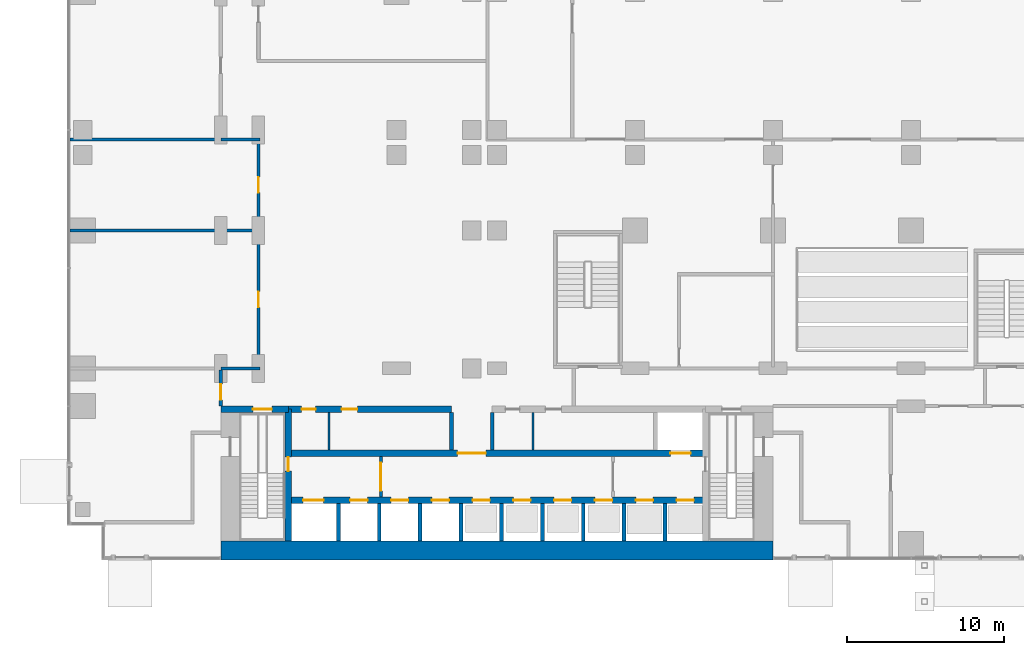
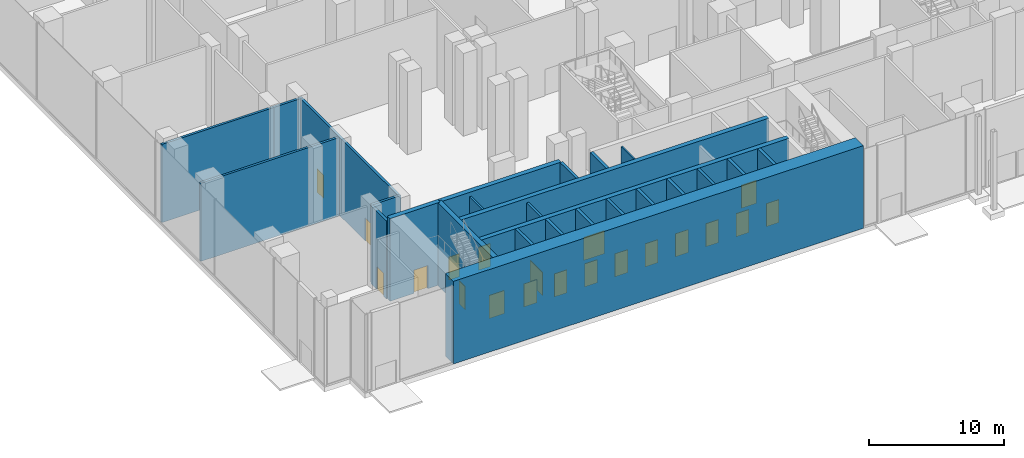
# One storey, part 24 of 41: 26 walls, 20 doors, 20 openings.
"""IFC4 building model written with IfcOpenShell, lengths in metres."""

from ifc_helpers import new_model, si_unit, direction, frame, frame_2d, origin, place, context, subcontext, project, spatial, rectangle, extrude, material, layer, layer_set, type_object, element, fill, save


model = new_model("IFC4")

# Units and contexts
model_context = context("Model", 3, precision=1e-05, world=origin(), true_north=direction((0.0, 1.0)))
body_context = subcontext(model_context, "Body", "Model", "MODEL_VIEW")
ifc_project = project(units=[si_unit("LENGTHUNIT", "METRE"), si_unit("AREAUNIT", "SQUARE_METRE"), si_unit("VOLUMEUNIT", "CUBIC_METRE"), si_unit("PLANEANGLEUNIT", "RADIAN"), si_unit("MASSUNIT", "GRAM", prefix="KILO")], contexts=[model_context])

# Site, building, storey
site_placement = place(None, origin())
site = spatial("IfcSite", under=ifc_project, at=site_placement, CompositionType="ELEMENT")
building_placement = place(site_placement, origin())
building = spatial("IfcBuilding", under=site, at=building_placement, Name="Kemantara Hotel Tower", CompositionType="ELEMENT")
storey_placement = place(building_placement, origin())
storey = spatial("IfcBuildingStorey", under=building, at=storey_placement, Name="L00", CompositionType="ELEMENT", Elevation=0.0)

# Walls
ifc_material_1 = material(Name="Concrete fc 70 MPa", Category="concrete")
ifc_layer_1 = layer(ifc_material_1, 1.199951171875)
ifc_layer_set_1 = layer_set([ifc_layer_1], Name="Concrete fc 70 MPa")
wall_type_1 = type_object("IfcWallType", Name="CORE WALL 1200 FC70", PredefinedType="SHEAR", material=ifc_layer_set_1)
wall_1_placement = place(storey_placement, frame((9.800048828125, 0.60009765625, 0.0), z_axis=(0.0, 0.0, 1.0), x_axis=(1.0, 0.0, 0.0)))
element("IfcWall", 1, at=wall_1_placement, inside=storey, type_object=wall_type_1, Name="CORE WALL CW-S", PredefinedType="SHEAR", context=body_context, shape_type="SweptSolid", body=[
    extrude(rectangle(XDim=35.199951171875, YDim=1.199951171875, at=frame_2d((17.60009765625, 0.0))), origin(), (0.0, 0.0, 1.0), 7.5),
])
ifc_layer_2 = layer(ifc_material_1, 0.25)
ifc_layer_set_2 = layer_set([ifc_layer_2], Name="Concrete fc 70 MPa")
wall_type_2 = type_object("IfcWallType", Name="CORE WALL 250 FC70", PredefinedType="SHEAR", material=ifc_layer_set_2)
for number, where, z_axis, x_axis, name in (
    (2, (17.300048828125, 1.199951171875, 0.0), (0.0, 0.0, 1.0), (0.0, 1.0, 0.0), "CORE WALL CW-DS17.3"),
    (3, (19.89990234375, 1.199951171875, 0.0), (0.0, 0.0, 1.0), (0.0, 1.0, 0.0), "CORE WALL CW-DS19.9"),
    (4, (22.5, 1.199951171875, 0.0), (0.0, 0.0, 1.0), (0.0, 1.0, 0.0), "CORE WALL CW-DS22.5"),
    (5, (25.10009765625, 1.199951171875, 0.0), (0.0, 0.0, 1.0), (0.0, 1.0, 0.0), "CORE WALL CW-DS25.1"),
    (6, (27.699951171875, 1.199951171875, 0.0), (0.0, 0.0, 1.0), (0.0, 1.0, 0.0), "CORE WALL CW-DS27.7"),
    (7, (30.300048828125, 1.199951171875, 0.0), (0.0, 0.0, 1.0), (0.0, 1.0, 0.0), "CORE WALL CW-DS30.3"),
    (8, (32.89990234375, 1.199951171875, 0.0), (0.0, 0.0, 1.0), (0.0, 1.0, 0.0), "CORE WALL CW-DS32.9"),
    (9, (35.5, 1.199951171875, 0.0), (0.0, 0.0, 1.0), (0.0, 1.0, 0.0), "CORE WALL CW-DS35.5"),
    (10, (38.10009765625, 1.199951171875, 0.0), (0.0, 0.0, 1.0), (0.0, 1.0, 0.0), "CORE WALL CW-DS38.1"),
):
    element("IfcWall", number, at=place(storey_placement, frame(where, z_axis=z_axis, x_axis=x_axis)), inside=storey, type_object=wall_type_2, Name=name, PredefinedType="SHEAR", context=body_context, shape_type="SweptSolid", body=[
        extrude(rectangle(XDim=2.400146484375, YDim=0.25, at=frame_2d((1.2001953125, 0.0))), origin(), (0.0, 0.0, 1.0), 7.5),
    ])
for number, where, z_axis, x_axis, name in (
    (11, (24.5, 7.0, 0.0), (0.0, 0.0, 1.0), (0.0, 1.0, 0.0), "CORE WALL CW-DN24.5"),
    (12, (27.10009765625, 7.0, 0.0), (0.0, 0.0, 1.0), (0.0, 1.0, 0.0), "CORE WALL CW-DN27.1"),
):
    element("IfcWall", number, at=place(storey_placement, frame(where, z_axis=z_axis, x_axis=x_axis)), inside=storey, type_object=wall_type_2, Name=name, PredefinedType="SHEAR", context=body_context, shape_type="SweptSolid", body=[
        extrude(rectangle(XDim=2.39990234375, YDim=0.25, at=frame_2d((1.199951171875, 0.0))), origin(), (0.0, 0.0, 1.0), 7.5),
    ])

# Wall, opening, door
ifc_layer_3 = layer(ifc_material_1, 0.39990234375)
ifc_layer_set_3 = layer_set([ifc_layer_3], Name="Concrete fc 70 MPa")
wall_type_3 = type_object("IfcWallType", Name="CORE WALL 400 FC70", PredefinedType="SHEAR", material=ifc_layer_set_3)
wall_2_placement = place(storey_placement, frame((9.800048828125, 9.60009765625, 0.0), z_axis=(0.0, 0.0, 1.0), x_axis=(1.0, 0.0, 0.0)))
wall_2 = element("IfcWall", 13, at=wall_2_placement, inside=storey, type_object=wall_type_3, Name="CORE WALL CW-N1", PredefinedType="SHEAR", context=body_context, shape_type="SweptSolid", body=[
    extrude(rectangle(XDim=4.300048828125, YDim=0.39990234375, at=frame_2d((2.14990234375, 0.0))), origin(), (0.0, 0.0, 1.0), 7.5),
])
opening_1_placement = place(wall_2_placement, frame((2.050048828125, 0.0, 0.0)))
opening_1 = element("IfcOpeningElement", 14, at=opening_1_placement, cuts=wall_2, Name="Opening C03-ST1-C", PredefinedType="OPENING", context=body_context, shape_type="SweptSolid", body=[
    extrude(rectangle(XDim=1.199951171875, YDim=2.10009765625, at=frame_2d((0.60009765625, 1.050048828125))), frame((0.0, 0.2099609375, 0.0), z_axis=(0.0, -1.0, 0.0), x_axis=(1.0, 0.0, 0.0)), (0.0, 0.0, 1.0), 0.419921875),
])
ifc_material_2 = material(Name="Steel fire door", Category="steel")
door_type_1 = type_object("IfcDoorType", Name="Fire door FD90 1200 x 2100", OperationType="NOTDEFINED", PredefinedType="DOOR", material=ifc_material_2)
door_1_placement = place(opening_1_placement, origin())
door_1 = element("IfcDoor", 15, at=door_1_placement, inside=storey, type_object=door_type_1, Name="Stair ST1 door to corridor", OperationType="SINGLE_SWING_RIGHT", OverallHeight=2.10009765625, OverallWidth=1.199951171875, PredefinedType="DOOR", context=body_context, shape_type="SweptSolid", body=[
    extrude(rectangle(XDim=1.199951171875, YDim=2.10009765625, at=frame_2d((0.60009765625, 1.050048828125))), frame((0.0, 0.02490234375, 0.0), z_axis=(0.0, -1.0, 0.0), x_axis=(1.0, 0.0, 0.0)), (0.0, 0.0, 1.0), 0.050048828125),
])
fill(opening_1, door_1)

# Wall, openings, doors
wall_3_placement = place(storey_placement, frame((14.10009765625, 9.60009765625, 0.0), z_axis=(0.0, 0.0, 1.0), x_axis=(1.0, 0.0, 0.0)))
wall_3 = element("IfcWall", 16, at=wall_3_placement, inside=storey, type_object=wall_type_3, Name="CORE WALL CW-NN1", PredefinedType="SHEAR", context=body_context, shape_type="SweptSolid", body=[
    extrude(rectangle(XDim=10.39990234375, YDim=0.39990234375, at=frame_2d((5.199951171875, 0.0))), origin(), (0.0, 0.0, 1.0), 7.5),
])
opening_2_placement = place(wall_3_placement, frame((0.85009765625, 0.0, 0.0)))
opening_2 = element("IfcOpeningElement", 17, at=opening_2_placement, cuts=wall_3, Name="Opening C03-R-NW1", PredefinedType="OPENING", context=body_context, shape_type="SweptSolid", body=[
    extrude(rectangle(XDim=0.89990234375, YDim=2.10009765625, at=frame_2d((0.449951171875, 1.050048828125))), frame((0.0, 0.2099609375, 0.0), z_axis=(0.0, -1.0, 0.0), x_axis=(1.0, 0.0, 0.0)), (0.0, 0.0, 1.0), 0.419921875),
])
opening_3_placement = place(wall_3_placement, frame((3.39990234375, 0.0, 0.0)))
opening_3 = element("IfcOpeningElement", 18, at=opening_3_placement, cuts=wall_3, Name="Opening C03-R-NW2", PredefinedType="OPENING", context=body_context, shape_type="SweptSolid", body=[
    extrude(rectangle(XDim=1.0, YDim=2.10009765625, at=frame_2d((0.5, 1.050048828125))), frame((0.0, 0.2099609375, 0.0), z_axis=(0.0, -1.0, 0.0), x_axis=(1.0, 0.0, 0.0)), (0.0, 0.0, 1.0), 0.419921875),
])
door_type_2 = type_object("IfcDoorType", Name="Fire door FD30S 1000 x 2100", OperationType="NOTDEFINED", PredefinedType="DOOR", material=ifc_material_2)
door_2_placement = place(opening_3_placement, frame((1.0, 0.0, 0.0), z_axis=(0.0, 0.0, 1.0), x_axis=(-1.0, 0.0, 0.0)))
door_2 = element("IfcDoor", 19, at=door_2_placement, inside=storey, type_object=door_type_2, Name="Housekeeping Store door", OperationType="SINGLE_SWING_RIGHT", OverallHeight=2.10009765625, OverallWidth=1.0, PredefinedType="DOOR", context=body_context, shape_type="SweptSolid", body=[
    extrude(rectangle(XDim=1.0, YDim=2.10009765625, at=frame_2d((0.5, 1.050048828125))), frame((0.0, 0.02490234375, 0.0), z_axis=(0.0, -1.0, 0.0), x_axis=(1.0, 0.0, 0.0)), (0.0, 0.0, 1.0), 0.050048828125),
])
fill(opening_3, door_2)
door_type_3 = type_object("IfcDoorType", Name="Fire door FD30S 900 x 2100", OperationType="NOTDEFINED", PredefinedType="DOOR", material=ifc_material_2)
door_3_placement = place(opening_2_placement, frame((0.89990234375, 0.0, 0.0), z_axis=(0.0, 0.0, 1.0), x_axis=(-1.0, 0.0, 0.0)))
door_3 = element("IfcDoor", 20, at=door_3_placement, inside=storey, type_object=door_type_3, Name="Staff Wc door", OperationType="SINGLE_SWING_RIGHT", OverallHeight=2.10009765625, OverallWidth=0.89990234375, PredefinedType="DOOR", context=body_context, shape_type="SweptSolid", body=[
    extrude(rectangle(XDim=0.89990234375, YDim=2.10009765625, at=frame_2d((0.449951171875, 1.050048828125))), frame((0.0, 0.02490234375, 0.0), z_axis=(0.0, -1.0, 0.0), x_axis=(1.0, 0.0, 0.0)), (0.0, 0.0, 1.0), 0.050048828125),
])
fill(opening_2, door_3)

wall_4_placement = place(storey_placement, frame((14.10009765625, 3.800048828125, 0.0), z_axis=(0.0, 0.0, 1.0), x_axis=(1.0, 0.0, 0.0)))
wall_4 = element("IfcWall", 21, at=wall_4_placement, inside=storey, type_object=wall_type_3, Name="CORE WALL CW-L1", PredefinedType="SHEAR", context=body_context, shape_type="SweptSolid", body=[
    extrude(rectangle(XDim=26.599853515625, YDim=0.39990234375, at=frame_2d((13.2998046875, 0.0))), origin(), (0.0, 0.0, 1.0), 7.5),
])
opening_4_placement = place(wall_4_placement, frame((0.949951171875, 0.0, 0.0)))
opening_4 = element("IfcOpeningElement", 22, at=opening_4_placement, cuts=wall_4, Name="Opening C03-LD-FF1", PredefinedType="OPENING", context=body_context, shape_type="SweptSolid", body=[
    extrude(rectangle(XDim=1.300048828125, YDim=2.10009765625, at=frame_2d((0.64990234375, 1.050048828125))), frame((0.0, 0.2099609375, 0.0), z_axis=(0.0, -1.0, 0.0), x_axis=(1.0, 0.0, 0.0)), (0.0, 0.0, 1.0), 0.419921875),
])
opening_5_placement = place(wall_4_placement, frame((3.949951171875, 0.0, 0.0)))
opening_5 = element("IfcOpeningElement", 23, at=opening_5_placement, cuts=wall_4, Name="Opening C03-LD-SV1", PredefinedType="OPENING", context=body_context, shape_type="SweptSolid", body=[
    extrude(rectangle(XDim=1.10009765625, YDim=2.10009765625, at=frame_2d((0.550048828125, 1.050048828125))), frame((0.0, 0.2099609375, 0.0), z_axis=(0.0, -1.0, 0.0), x_axis=(1.0, 0.0, 0.0)), (0.0, 0.0, 1.0), 0.419921875),
])
opening_6_placement = place(wall_4_placement, frame((6.550048828125, 0.0, 0.0)))
opening_6 = element("IfcOpeningElement", 24, at=opening_6_placement, cuts=wall_4, Name="Opening C03-LD-SV2", PredefinedType="OPENING", context=body_context, shape_type="SweptSolid", body=[
    extrude(rectangle(XDim=1.10009765625, YDim=2.10009765625, at=frame_2d((0.550048828125, 1.050048828125))), frame((0.0, 0.2099609375, 0.0), z_axis=(0.0, -1.0, 0.0), x_axis=(1.0, 0.0, 0.0)), (0.0, 0.0, 1.0), 0.419921875),
])
opening_7_placement = place(wall_4_placement, frame((9.14990234375, 0.0, 0.0)))
opening_7 = element("IfcOpeningElement", 25, at=opening_7_placement, cuts=wall_4, Name="Opening C03-LD-SV3", PredefinedType="OPENING", context=body_context, shape_type="SweptSolid", body=[
    extrude(rectangle(XDim=1.10009765625, YDim=2.10009765625, at=frame_2d((0.550048828125, 1.050048828125))), frame((0.0, 0.2099609375, 0.0), z_axis=(0.0, -1.0, 0.0), x_axis=(1.0, 0.0, 0.0)), (0.0, 0.0, 1.0), 0.419921875),
])
opening_8_placement = place(wall_4_placement, frame((11.75, 0.0, 0.0)))
opening_8 = element("IfcOpeningElement", 26, at=opening_8_placement, cuts=wall_4, Name="Opening C03-LD-LR1", PredefinedType="OPENING", context=body_context, shape_type="SweptSolid", body=[
    extrude(rectangle(XDim=1.10009765625, YDim=2.10009765625, at=frame_2d((0.550048828125, 1.050048828125))), frame((0.0, 0.2099609375, 0.0), z_axis=(0.0, -1.0, 0.0), x_axis=(1.0, 0.0, 0.0)), (0.0, 0.0, 1.0), 0.419921875),
])
opening_9_placement = place(wall_4_placement, frame((14.35009765625, 0.0, 0.0)))
opening_9 = element("IfcOpeningElement", 27, at=opening_9_placement, cuts=wall_4, Name="Opening C03-LD-LR2", PredefinedType="OPENING", context=body_context, shape_type="SweptSolid", body=[
    extrude(rectangle(XDim=1.10009765625, YDim=2.10009765625, at=frame_2d((0.550048828125, 1.050048828125))), frame((0.0, 0.2099609375, 0.0), z_axis=(0.0, -1.0, 0.0), x_axis=(1.0, 0.0, 0.0)), (0.0, 0.0, 1.0), 0.419921875),
])
opening_10_placement = place(wall_4_placement, frame((16.949951171875, 0.0, 0.0)))
opening_10 = element("IfcOpeningElement", 28, at=opening_10_placement, cuts=wall_4, Name="Opening C03-LD-LR3", PredefinedType="OPENING", context=body_context, shape_type="SweptSolid", body=[
    extrude(rectangle(XDim=1.10009765625, YDim=2.10009765625, at=frame_2d((0.550048828125, 1.050048828125))), frame((0.0, 0.2099609375, 0.0), z_axis=(0.0, -1.0, 0.0), x_axis=(1.0, 0.0, 0.0)), (0.0, 0.0, 1.0), 0.419921875),
])
opening_11_placement = place(wall_4_placement, frame((19.550048828125, 0.0, 0.0)))
opening_11 = element("IfcOpeningElement", 29, at=opening_11_placement, cuts=wall_4, Name="Opening C03-LD-LR4", PredefinedType="OPENING", context=body_context, shape_type="SweptSolid", body=[
    extrude(rectangle(XDim=1.10009765625, YDim=2.10009765625, at=frame_2d((0.550048828125, 1.050048828125))), frame((0.0, 0.2099609375, 0.0), z_axis=(0.0, -1.0, 0.0), x_axis=(1.0, 0.0, 0.0)), (0.0, 0.0, 1.0), 0.419921875),
])
opening_12_placement = place(wall_4_placement, frame((22.14990234375, 0.0, 0.0)))
opening_12 = element("IfcOpeningElement", 30, at=opening_12_placement, cuts=wall_4, Name="Opening C03-LD-SH1", PredefinedType="OPENING", context=body_context, shape_type="SweptSolid", body=[
    extrude(rectangle(XDim=1.10009765625, YDim=2.10009765625, at=frame_2d((0.550048828125, 1.050048828125))), frame((0.0, 0.2099609375, 0.0), z_axis=(0.0, -1.0, 0.0), x_axis=(1.0, 0.0, 0.0)), (0.0, 0.0, 1.0), 0.419921875),
])
opening_13_placement = place(wall_4_placement, frame((24.75, 0.0, 0.0)))
opening_13 = element("IfcOpeningElement", 31, at=opening_13_placement, cuts=wall_4, Name="Opening C03-LD-SH2", PredefinedType="OPENING", context=body_context, shape_type="SweptSolid", body=[
    extrude(rectangle(XDim=1.10009765625, YDim=2.10009765625, at=frame_2d((0.550048828125, 1.050048828125))), frame((0.0, 0.2099609375, 0.0), z_axis=(0.0, -1.0, 0.0), x_axis=(1.0, 0.0, 0.0)), (0.0, 0.0, 1.0), 0.419921875),
])
ifc_material_3 = material(Name="Stainless steel lift door", Category="steel")
door_type_4 = type_object("IfcDoorType", Name="Lift landing door 1100 x 2100 FD60", OperationType="DOUBLE_DOOR_SLIDING", PredefinedType="DOOR", material=ifc_material_3)
door_4_placement = place(opening_5_placement, origin())
door_4 = element("IfcDoor", 32, at=door_4_placement, inside=storey, type_object=door_type_4, Name="Lift SV1 landing door", OperationType="DOUBLE_DOOR_SLIDING", OverallHeight=2.10009765625, OverallWidth=1.10009765625, PredefinedType="DOOR", context=body_context, shape_type="SweptSolid", body=[
    extrude(rectangle(XDim=1.10009765625, YDim=2.10009765625, at=frame_2d((0.550048828125, 1.050048828125))), frame((0.0, 0.02490234375, 0.0), z_axis=(0.0, -1.0, 0.0), x_axis=(1.0, 0.0, 0.0)), (0.0, 0.0, 1.0), 0.050048828125),
])
fill(opening_5, door_4)
door_5_placement = place(opening_6_placement, origin())
door_5 = element("IfcDoor", 33, at=door_5_placement, inside=storey, type_object=door_type_4, Name="Lift SV2 landing door", OperationType="DOUBLE_DOOR_SLIDING", OverallHeight=2.10009765625, OverallWidth=1.10009765625, PredefinedType="DOOR", context=body_context, shape_type="SweptSolid", body=[
    extrude(rectangle(XDim=1.10009765625, YDim=2.10009765625, at=frame_2d((0.550048828125, 1.050048828125))), frame((0.0, 0.02490234375, 0.0), z_axis=(0.0, -1.0, 0.0), x_axis=(1.0, 0.0, 0.0)), (0.0, 0.0, 1.0), 0.050048828125),
])
fill(opening_6, door_5)
door_6_placement = place(opening_7_placement, origin())
door_6 = element("IfcDoor", 34, at=door_6_placement, inside=storey, type_object=door_type_4, Name="Lift SV3 landing door", OperationType="DOUBLE_DOOR_SLIDING", OverallHeight=2.10009765625, OverallWidth=1.10009765625, PredefinedType="DOOR", context=body_context, shape_type="SweptSolid", body=[
    extrude(rectangle(XDim=1.10009765625, YDim=2.10009765625, at=frame_2d((0.550048828125, 1.050048828125))), frame((0.0, 0.02490234375, 0.0), z_axis=(0.0, -1.0, 0.0), x_axis=(1.0, 0.0, 0.0)), (0.0, 0.0, 1.0), 0.050048828125),
])
fill(opening_7, door_6)
door_7_placement = place(opening_8_placement, origin())
door_7 = element("IfcDoor", 35, at=door_7_placement, inside=storey, type_object=door_type_4, Name="Lift LR1 landing door", OperationType="DOUBLE_DOOR_SLIDING", OverallHeight=2.10009765625, OverallWidth=1.10009765625, PredefinedType="DOOR", context=body_context, shape_type="SweptSolid", body=[
    extrude(rectangle(XDim=1.10009765625, YDim=2.10009765625, at=frame_2d((0.550048828125, 1.050048828125))), frame((0.0, 0.02490234375, 0.0), z_axis=(0.0, -1.0, 0.0), x_axis=(1.0, 0.0, 0.0)), (0.0, 0.0, 1.0), 0.050048828125),
])
fill(opening_8, door_7)
door_8_placement = place(opening_9_placement, origin())
door_8 = element("IfcDoor", 36, at=door_8_placement, inside=storey, type_object=door_type_4, Name="Lift LR2 landing door", OperationType="DOUBLE_DOOR_SLIDING", OverallHeight=2.10009765625, OverallWidth=1.10009765625, PredefinedType="DOOR", context=body_context, shape_type="SweptSolid", body=[
    extrude(rectangle(XDim=1.10009765625, YDim=2.10009765625, at=frame_2d((0.550048828125, 1.050048828125))), frame((0.0, 0.02490234375, 0.0), z_axis=(0.0, -1.0, 0.0), x_axis=(1.0, 0.0, 0.0)), (0.0, 0.0, 1.0), 0.050048828125),
])
fill(opening_9, door_8)
door_9_placement = place(opening_10_placement, origin())
door_9 = element("IfcDoor", 37, at=door_9_placement, inside=storey, type_object=door_type_4, Name="Lift LR3 landing door", OperationType="DOUBLE_DOOR_SLIDING", OverallHeight=2.10009765625, OverallWidth=1.10009765625, PredefinedType="DOOR", context=body_context, shape_type="SweptSolid", body=[
    extrude(rectangle(XDim=1.10009765625, YDim=2.10009765625, at=frame_2d((0.550048828125, 1.050048828125))), frame((0.0, 0.02490234375, 0.0), z_axis=(0.0, -1.0, 0.0), x_axis=(1.0, 0.0, 0.0)), (0.0, 0.0, 1.0), 0.050048828125),
])
fill(opening_10, door_9)
door_10_placement = place(opening_11_placement, origin())
door_10 = element("IfcDoor", 38, at=door_10_placement, inside=storey, type_object=door_type_4, Name="Lift LR4 landing door", OperationType="DOUBLE_DOOR_SLIDING", OverallHeight=2.10009765625, OverallWidth=1.10009765625, PredefinedType="DOOR", context=body_context, shape_type="SweptSolid", body=[
    extrude(rectangle(XDim=1.10009765625, YDim=2.10009765625, at=frame_2d((0.550048828125, 1.050048828125))), frame((0.0, 0.02490234375, 0.0), z_axis=(0.0, -1.0, 0.0), x_axis=(1.0, 0.0, 0.0)), (0.0, 0.0, 1.0), 0.050048828125),
])
fill(opening_11, door_10)
door_11_placement = place(opening_12_placement, origin())
door_11 = element("IfcDoor", 39, at=door_11_placement, inside=storey, type_object=door_type_4, Name="Lift SH1 landing door", OperationType="DOUBLE_DOOR_SLIDING", OverallHeight=2.10009765625, OverallWidth=1.10009765625, PredefinedType="DOOR", context=body_context, shape_type="SweptSolid", body=[
    extrude(rectangle(XDim=1.10009765625, YDim=2.10009765625, at=frame_2d((0.550048828125, 1.050048828125))), frame((0.0, 0.02490234375, 0.0), z_axis=(0.0, -1.0, 0.0), x_axis=(1.0, 0.0, 0.0)), (0.0, 0.0, 1.0), 0.050048828125),
])
fill(opening_12, door_11)
door_12_placement = place(opening_13_placement, origin())
door_12 = element("IfcDoor", 40, at=door_12_placement, inside=storey, type_object=door_type_4, Name="Lift SH2 landing door", OperationType="DOUBLE_DOOR_SLIDING", OverallHeight=2.10009765625, OverallWidth=1.10009765625, PredefinedType="DOOR", context=body_context, shape_type="SweptSolid", body=[
    extrude(rectangle(XDim=1.10009765625, YDim=2.10009765625, at=frame_2d((0.550048828125, 1.050048828125))), frame((0.0, 0.02490234375, 0.0), z_axis=(0.0, -1.0, 0.0), x_axis=(1.0, 0.0, 0.0)), (0.0, 0.0, 1.0), 0.050048828125),
])
fill(opening_13, door_12)
door_type_5 = type_object("IfcDoorType", Name="Lift landing door 1300 x 2100 FD90", OperationType="DOUBLE_DOOR_SLIDING", PredefinedType="DOOR", material=ifc_material_3)
door_13_placement = place(opening_4_placement, origin())
door_13 = element("IfcDoor", 41, at=door_13_placement, inside=storey, type_object=door_type_5, Name="Lift FF1 landing door", OperationType="DOUBLE_DOOR_SLIDING", OverallHeight=2.10009765625, OverallWidth=1.300048828125, PredefinedType="DOOR", context=body_context, shape_type="SweptSolid", body=[
    extrude(rectangle(XDim=1.300048828125, YDim=2.10009765625, at=frame_2d((0.64990234375, 1.050048828125))), frame((0.0, 0.02490234375, 0.0), z_axis=(0.0, -1.0, 0.0), x_axis=(1.0, 0.0, 0.0)), (0.0, 0.0, 1.0), 0.050048828125),
])
fill(opening_4, door_13)

wall_5_placement = place(storey_placement, frame((14.10009765625, 6.800048828125, 0.0), z_axis=(0.0, 0.0, 1.0), x_axis=(1.0, 0.0, 0.0)))
wall_5 = element("IfcWall", 42, at=wall_5_placement, inside=storey, type_object=wall_type_3, Name="CORE WALL CW-L2", PredefinedType="SHEAR", context=body_context, shape_type="SweptSolid", body=[
    extrude(rectangle(XDim=26.599853515625, YDim=0.39990234375, at=frame_2d((13.2998046875, 0.0))), origin(), (0.0, 0.0, 1.0), 7.5),
])
opening_14_placement = place(wall_5_placement, frame((10.800048828125, 0.0, 0.0)))
opening_14 = element("IfcOpeningElement", 43, at=opening_14_placement, cuts=wall_5, Name="Opening C03-VL", PredefinedType="OPENING", context=body_context, shape_type="SweptSolid", body=[
    extrude(rectangle(XDim=1.800048828125, YDim=2.10009765625, at=frame_2d((0.89990234375, 1.050048828125))), frame((0.0, 0.2099609375, 0.0), z_axis=(0.0, -1.0, 0.0), x_axis=(1.0, 0.0, 0.0)), (0.0, 0.0, 1.0), 0.419921875),
])
opening_15_placement = place(wall_5_placement, frame((24.35009765625, 0.0, 0.0)))
opening_15 = element("IfcOpeningElement", 44, at=opening_15_placement, cuts=wall_5, Name="Opening C03-LD-FF2", PredefinedType="OPENING", context=body_context, shape_type="SweptSolid", body=[
    extrude(rectangle(XDim=1.300048828125, YDim=2.10009765625, at=frame_2d((0.64990234375, 1.050048828125))), frame((0.0, 0.2099609375, 0.0), z_axis=(0.0, -1.0, 0.0), x_axis=(1.0, 0.0, 0.0)), (0.0, 0.0, 1.0), 0.419921875),
])
door_type_6 = type_object("IfcDoorType", Name="Fire door pair FD60 1800 x 2100", OperationType="DOUBLE_DOOR_SINGLE_SWING", PredefinedType="DOOR", material=ifc_material_2)
door_14_placement = place(opening_14_placement, frame((1.800048828125, 0.0, 0.0), z_axis=(0.0, 0.0, 1.0), x_axis=(-1.0, 0.0, 0.0)))
door_14 = element("IfcDoor", 45, at=door_14_placement, inside=storey, type_object=door_type_6, Name="Lift lobby entry door", OperationType="DOUBLE_DOOR_SINGLE_SWING", OverallHeight=2.10009765625, OverallWidth=1.800048828125, PredefinedType="DOOR", context=body_context, shape_type="SweptSolid", body=[
    extrude(rectangle(XDim=1.800048828125, YDim=2.10009765625, at=frame_2d((0.89990234375, 1.050048828125))), frame((0.0, 0.02490234375, 0.0), z_axis=(0.0, -1.0, 0.0), x_axis=(1.0, 0.0, 0.0)), (0.0, 0.0, 1.0), 0.050048828125),
])
fill(opening_14, door_14)
door_15_placement = place(opening_15_placement, origin())
door_15 = element("IfcDoor", 46, at=door_15_placement, inside=storey, type_object=door_type_5, Name="Lift FF2 landing door", OperationType="DOUBLE_DOOR_SLIDING", OverallHeight=2.10009765625, OverallWidth=1.300048828125, PredefinedType="DOOR", context=body_context, shape_type="SweptSolid", body=[
    extrude(rectangle(XDim=1.300048828125, YDim=2.10009765625, at=frame_2d((0.64990234375, 1.050048828125))), frame((0.0, 0.02490234375, 0.0), z_axis=(0.0, -1.0, 0.0), x_axis=(1.0, 0.0, 0.0)), (0.0, 0.0, 1.0), 0.050048828125),
])
fill(opening_15, door_15)

# Wall, opening, door
wall_6_placement = place(storey_placement, frame((14.10009765625, 1.199951171875, 0.0), z_axis=(0.0, 0.0, 1.0), x_axis=(0.0, 1.0, 0.0)))
wall_6 = element("IfcWall", 47, at=wall_6_placement, inside=storey, type_object=wall_type_3, Name="CORE WALL CW-ST1E", PredefinedType="SHEAR", context=body_context, shape_type="SweptSolid", body=[
    extrude(rectangle(XDim=8.400146484375, YDim=0.39990234375, at=frame_2d((4.2001953125, 0.0))), origin(), (0.0, 0.0, 1.0), 7.5),
])
opening_16_placement = place(wall_6_placement, frame((4.449951171875, 0.0, 0.0)))
opening_16 = element("IfcOpeningElement", 48, at=opening_16_placement, cuts=wall_6, Name="Opening C03-ST1-F", PredefinedType="OPENING", context=body_context, shape_type="SweptSolid", body=[
    extrude(rectangle(XDim=0.89990234375, YDim=2.10009765625, at=frame_2d((0.449951171875, 1.050048828125))), frame((0.0, 0.2099609375, 0.0), z_axis=(0.0, -1.0, 0.0), x_axis=(1.0, 0.0, 0.0)), (0.0, 0.0, 1.0), 0.419921875),
])
door_type_7 = type_object("IfcDoorType", Name="Fire door FD90 900 x 2100", OperationType="NOTDEFINED", PredefinedType="DOOR", material=ifc_material_2)
door_16_placement = place(opening_16_placement, frame((0.89990234375, 0.0, 0.0), z_axis=(0.0, 0.0, 1.0), x_axis=(-1.0, 0.0, 0.0)))
door_16 = element("IfcDoor", 49, at=door_16_placement, inside=storey, type_object=door_type_7, Name="Stair ST1 door to firefighting lobby", OperationType="SINGLE_SWING_LEFT", OverallHeight=2.10009765625, OverallWidth=0.89990234375, PredefinedType="DOOR", context=body_context, shape_type="SweptSolid", body=[
    extrude(rectangle(XDim=0.89990234375, YDim=2.10009765625, at=frame_2d((0.449951171875, 1.050048828125))), frame((0.0, 0.02490234375, 0.0), z_axis=(0.0, -1.0, 0.0), x_axis=(1.0, 0.0, 0.0)), (0.0, 0.0, 1.0), 0.050048828125),
])
fill(opening_16, door_16)

ifc_material_4 = material(Name="Clay brick masonry", Category="masonry")
ifc_layer_4 = layer(ifc_material_4, 0.199951171875)
ifc_layer_set_4 = layer_set([ifc_layer_4], Name="Clay brick masonry")
wall_type_4 = type_object("IfcWallType", Name="FIRE-RATED CLAY BRICK WALL 200 EI 120", PredefinedType="PARTITIONING", material=ifc_layer_set_4)
wall_7_placement = place(storey_placement, frame((9.800048828125, 9.800048828125, 0.0), z_axis=(0.0, 0.0, 1.0), x_axis=(0.0, 1.0, 0.0)))
wall_7 = element("IfcWall", 50, at=wall_7_placement, inside=storey, type_object=wall_type_4, Name="FIRE WALL", PredefinedType="PARTITIONING", context=body_context, shape_type="SweptSolid", body=[
    extrude(rectangle(XDim=2.300048828125, YDim=0.199951171875, at=frame_2d((1.14990234375, 0.0))), origin(), (0.0, 0.0, 1.0), 7.10009765625),
])
opening_17_placement = place(wall_7_placement, frame((0.39990234375, 0.0, 0.0)))
opening_17 = element("IfcOpeningElement", 51, at=opening_17_placement, cuts=wall_7, Name="Opening L00-B021", PredefinedType="OPENING", context=body_context, shape_type="SweptSolid", body=[
    extrude(rectangle(XDim=1.0, YDim=2.10009765625, at=frame_2d((0.5, 1.050048828125))), frame((0.0, 0.10986328125, 0.0), z_axis=(0.0, -1.0, 0.0), x_axis=(1.0, 0.0, 0.0)), (0.0, 0.0, 1.0), 0.219970703125),
])
ifc_material_5 = material(Name="Galvanised steel door leaf", Category="steel")
door_type_8 = type_object("IfcDoorType", Name="FIRE-RATED STEEL DOOR 1000 X 2100", OperationType="SINGLE_SWING_LEFT", PredefinedType="DOOR", material=ifc_material_5)
door_17_placement = place(opening_17_placement, frame((1.0, 0.0, 0.0), z_axis=(0.0, 0.0, 1.0), x_axis=(-1.0, 0.0, 0.0)))
door_17 = element("IfcDoor", 52, at=door_17_placement, inside=storey, type_object=door_type_8, Name="FIRE-RATED STEEL DOOR", OperationType="SINGLE_SWING_RIGHT", OverallHeight=2.10009765625, OverallWidth=1.0, PredefinedType="DOOR", context=body_context, shape_type="SweptSolid", body=[
    extrude(rectangle(XDim=1.0, YDim=2.10009765625, at=frame_2d((0.5, 1.050048828125))), frame((0.0, 0.02490234375, 0.0), z_axis=(0.0, -1.0, 0.0), x_axis=(1.0, 0.0, 0.0)), (0.0, 0.0, 1.0), 0.050048828125),
])
fill(opening_17, door_17)

# Walls
ifc_material_6 = material(Name="Fire-rated gypsum board partition")
ifc_layer_5 = layer(ifc_material_6, 0.199951171875)
ifc_layer_set_5 = layer_set([ifc_layer_5], Name="Fire-rated gypsum board partition")
wall_type_5 = type_object("IfcWallType", Name="FIRE-RATED GYPSUM PARTITION 200 EI 60", PredefinedType="PARTITIONING", material=ifc_layer_set_5)
wall_8_placement = place(storey_placement, frame((9.800048828125, 26.800048828125, 0.0), z_axis=(0.0, 0.0, 1.0), x_axis=(1.0, 0.0, 0.0)))
element("IfcWall", 53, at=wall_8_placement, inside=storey, type_object=wall_type_5, Name="FIRE-RATED PARTITION", PredefinedType="PARTITIONING", context=body_context, shape_type="SweptSolid", body=[
    extrude(rectangle(XDim=2.5, YDim=0.199951171875, at=frame_2d((1.25, 0.0))), origin(), (0.0, 0.0, 1.0), 7.10009765625),
])
ifc_material_7 = material(Name="Gypsum board partition")
ifc_layer_6 = layer(ifc_material_7, 0.199951171875)
ifc_layer_set_6 = layer_set([ifc_layer_6], Name="Gypsum board partition")
wall_type_6 = type_object("IfcWallType", Name="GYPSUM BOARD PARTITION 200", PredefinedType="PARTITIONING", material=ifc_layer_set_6)
wall_9_placement = place(storey_placement, frame((9.800048828125, 12.199951171875, 0.0), z_axis=(0.0, 0.0, 1.0), x_axis=(1.0, 0.0, 0.0)))
element("IfcWall", 54, at=wall_9_placement, inside=storey, type_object=wall_type_6, Name="PARTITION", PredefinedType="PARTITIONING", context=body_context, shape_type="SweptSolid", body=[
    extrude(rectangle(XDim=2.5, YDim=0.199951171875, at=frame_2d((1.25, 0.0))), origin(), (0.0, 0.0, 1.0), 7.10009765625),
])
wall_10_placement = place(storey_placement, frame((0.199951171875, 26.800048828125, 0.0), z_axis=(0.0, 0.0, 1.0), x_axis=(1.0, 0.0, 0.0)))
element("IfcWall", 55, at=wall_10_placement, inside=storey, type_object=wall_type_6, Name="PARTITION", PredefinedType="PARTITIONING", context=body_context, shape_type="SweptSolid", body=[
    extrude(rectangle(XDim=9.60009765625, YDim=0.199951171875, at=frame_2d((4.800048828125, 0.0))), origin(), (0.0, 0.0, 1.0), 7.10009765625),
])
wall_11_placement = place(storey_placement, frame((0.199951171875, 21.0, 0.0), z_axis=(0.0, 0.0, 1.0), x_axis=(1.0, 0.0, 0.0)))
element("IfcWall", 56, at=wall_11_placement, inside=storey, type_object=wall_type_6, Name="PARTITION", PredefinedType="PARTITIONING", context=body_context, shape_type="SweptSolid", body=[
    extrude(rectangle(XDim=11.900146484375, YDim=0.199951171875, at=frame_2d((5.9501953125, 0.0))), origin(), (0.0, 0.0, 1.0), 7.10009765625),
])

# Wall, openings, doors
wall_12_placement = place(storey_placement, frame((12.199951171875, 12.300048828125, 0.0), z_axis=(0.0, 0.0, 1.0), x_axis=(0.0, 1.0, 0.0)))
wall_12 = element("IfcWall", 57, at=wall_12_placement, inside=storey, type_object=wall_type_6, Name="PARTITION", PredefinedType="PARTITIONING", context=body_context, shape_type="SweptSolid", body=[
    extrude(rectangle(XDim=14.39990234375, YDim=0.199951171875, at=frame_2d((7.199951171875, 0.0))), origin(), (0.0, 0.0, 1.0), 7.10009765625),
])
opening_18_placement = place(wall_12_placement, frame((3.800048828125, 0.0, 0.0)))
opening_18 = element("IfcOpeningElement", 58, at=opening_18_placement, cuts=wall_12, Name="Opening L00-B022", PredefinedType="OPENING", context=body_context, shape_type="SweptSolid", body=[
    extrude(rectangle(XDim=1.0, YDim=2.10009765625, at=frame_2d((0.5, 1.050048828125))), frame((0.0, 0.10986328125, 0.0), z_axis=(0.0, -1.0, 0.0), x_axis=(1.0, 0.0, 0.0)), (0.0, 0.0, 1.0), 0.219970703125),
])
opening_19_placement = place(wall_12_placement, frame((11.10009765625, 0.0, 0.0)))
opening_19 = element("IfcOpeningElement", 59, at=opening_19_placement, cuts=wall_12, Name="Opening L00-B023", PredefinedType="OPENING", context=body_context, shape_type="SweptSolid", body=[
    extrude(rectangle(XDim=1.0, YDim=2.10009765625, at=frame_2d((0.5, 1.050048828125))), frame((0.0, 0.10986328125, 0.0), z_axis=(0.0, -1.0, 0.0), x_axis=(1.0, 0.0, 0.0)), (0.0, 0.0, 1.0), 0.219970703125),
])
ifc_material_8 = material(Name="Timber veneer door leaf", Category="wood")
door_type_9 = type_object("IfcDoorType", Name="SINGLE LEAF TIMBER DOOR 1000 X 2100", OperationType="SINGLE_SWING_LEFT", PredefinedType="DOOR", material=ifc_material_8)
door_18_placement = place(opening_18_placement, origin())
door_18 = element("IfcDoor", 60, at=door_18_placement, inside=storey, type_object=door_type_9, Name="SINGLE LEAF TIMBER DOOR", OperationType="SINGLE_SWING_LEFT", OverallHeight=2.10009765625, OverallWidth=1.0, PredefinedType="DOOR", context=body_context, shape_type="SweptSolid", body=[
    extrude(rectangle(XDim=1.0, YDim=2.10009765625, at=frame_2d((0.5, 1.050048828125))), frame((0.0, 0.02490234375, 0.0), z_axis=(0.0, -1.0, 0.0), x_axis=(1.0, 0.0, 0.0)), (0.0, 0.0, 1.0), 0.050048828125),
])
fill(opening_18, door_18)
door_19_placement = place(opening_19_placement, origin())
door_19 = element("IfcDoor", 61, at=door_19_placement, inside=storey, type_object=door_type_9, Name="SINGLE LEAF TIMBER DOOR", OperationType="SINGLE_SWING_RIGHT", OverallHeight=2.10009765625, OverallWidth=1.0, PredefinedType="DOOR", context=body_context, shape_type="SweptSolid", body=[
    extrude(rectangle(XDim=1.0, YDim=2.10009765625, at=frame_2d((0.5, 1.050048828125))), frame((0.0, 0.02490234375, 0.0), z_axis=(0.0, -1.0, 0.0), x_axis=(1.0, 0.0, 0.0)), (0.0, 0.0, 1.0), 0.050048828125),
])
fill(opening_19, door_19)

# Walls
ifc_layer_7 = layer(ifc_material_7, 0.14990234375)
ifc_layer_set_7 = layer_set([ifc_layer_7], Name="Gypsum board partition")
wall_type_7 = type_object("IfcWallType", Name="Gypsum board partition 150 mm", PredefinedType="PARTITIONING", material=ifc_layer_set_7)
for number, where, z_axis, x_axis, name in (
    (62, (16.699951171875, 7.0, 0.0), (0.0, 0.0, 1.0), (0.0, 1.0, 0.0), "Core room partition"),
    (63, (29.699951171875, 7.0, 0.0), (0.0, 0.0, 1.0), (0.0, 1.0, 0.0), "Core room partition"),
):
    element("IfcWall", number, at=place(storey_placement, frame(where, z_axis=z_axis, x_axis=x_axis)), inside=storey, type_object=wall_type_7, Name=name, PredefinedType="PARTITIONING", context=body_context, shape_type="SweptSolid", body=[
        extrude(rectangle(XDim=2.39990234375, YDim=0.14990234375, at=frame_2d((1.199951171875, 0.0))), origin(), (0.0, 0.0, 1.0), 7.10009765625),
    ])

# Wall, opening, door
ifc_material_9 = material(Name="Gypsum board shaft wall")
ifc_layer_8 = layer(ifc_material_9, 0.199951171875)
ifc_layer_set_8 = layer_set([ifc_layer_8], Name="Gypsum board shaft wall")
wall_type_8 = type_object("IfcWallType", Name="Gypsum board shaft wall 200 mm", PredefinedType="PARTITIONING", material=ifc_layer_set_8)
wall_13_placement = place(storey_placement, frame((20.0, 4.0, 0.0), z_axis=(0.0, 0.0, 1.0), x_axis=(0.0, 1.0, 0.0)))
wall_13 = element("IfcWall", 64, at=wall_13_placement, inside=storey, type_object=wall_type_8, Name="Firefighting lobby partition west", PredefinedType="PARTITIONING", context=body_context, shape_type="SweptSolid", body=[
    extrude(rectangle(XDim=2.60009765625, YDim=0.199951171875, at=frame_2d((1.300048828125, 0.0))), origin(), (0.0, 0.0, 1.0), 7.10009765625),
])
opening_20_placement = place(wall_13_placement, frame((0.39990234375, 0.0, 0.0)))
opening_20 = element("IfcOpeningElement", 65, at=opening_20_placement, cuts=wall_13, Name="Opening C03-FFW", PredefinedType="OPENING", context=body_context, shape_type="SweptSolid", body=[
    extrude(rectangle(XDim=1.800048828125, YDim=2.10009765625, at=frame_2d((0.89990234375, 1.050048828125))), frame((0.0, 0.10986328125, 0.0), z_axis=(0.0, -1.0, 0.0), x_axis=(1.0, 0.0, 0.0)), (0.0, 0.0, 1.0), 0.219970703125),
])
door_20_placement = place(opening_20_placement, origin())
door_20 = element("IfcDoor", 66, at=door_20_placement, inside=storey, type_object=door_type_6, Name="Firefighting lobby door west", OperationType="DOUBLE_DOOR_SINGLE_SWING", OverallHeight=2.10009765625, OverallWidth=1.800048828125, PredefinedType="DOOR", context=body_context, shape_type="SweptSolid", body=[
    extrude(rectangle(XDim=1.800048828125, YDim=2.10009765625, at=frame_2d((0.89990234375, 1.050048828125))), frame((0.0, 0.02490234375, 0.0), z_axis=(0.0, -1.0, 0.0), x_axis=(1.0, 0.0, 0.0)), (0.0, 0.0, 1.0), 0.050048828125),
])
fill(opening_20, door_20)

save(model, "model.ifc")
